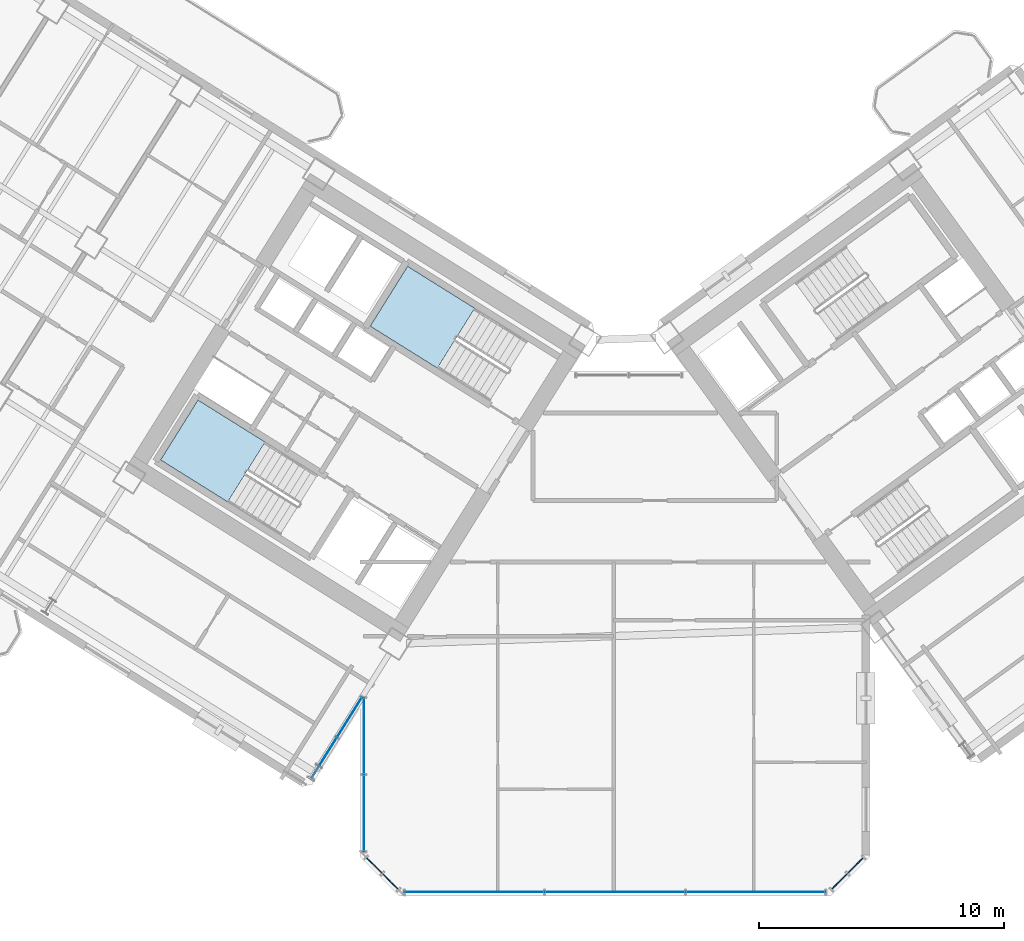
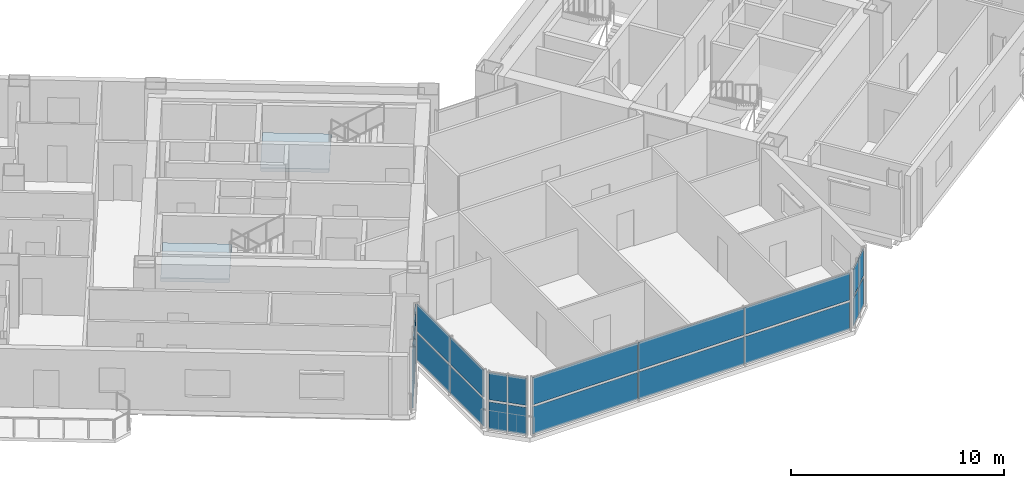
# One storey, part 13 of 25: 22 plates, 2 slabs, 7 elements without a shape of their own.
"""IFC4 building model written with IfcOpenShell, lengths in metres."""

from ifc_helpers import new_model, si_unit, direction, frame, origin, origin_2d, place, context, subcontext, project, spatial, polyline, rectangle, outline, extrude, source, transform, mapped, material, layer, layer_set, type_object, element, aggregate, save


model = new_model("IFC4")

# Units and contexts
model_context = context("Model", 3, precision=1e-05, world=origin(), true_north=direction((0.0, 1.0)))
body_context = subcontext(model_context, "Body", "Model", "MODEL_VIEW")
ifc_project = project(units=[si_unit("LENGTHUNIT", "METRE"), si_unit("AREAUNIT", "SQUARE_METRE"), si_unit("VOLUMEUNIT", "CUBIC_METRE"), si_unit("PLANEANGLEUNIT", "RADIAN"), si_unit("MASSUNIT", "GRAM", prefix="KILO")], contexts=[model_context])

# Site, building, storey
site_placement = place(None, origin())
site = spatial("IfcSite", under=ifc_project, at=site_placement, CompositionType="ELEMENT")
building_placement = place(site_placement, origin())
building = spatial("IfcBuilding", under=site, at=building_placement, Name="Tlacorven Tower", CompositionType="ELEMENT")
storey_placement = place(building_placement, frame((0.0, 0.0, 52.800048828125)))
storey = spatial("IfcBuildingStorey", under=building, at=storey_placement, Name="L13", CompositionType="ELEMENT", Elevation=52.800048828125)

# Stair, slab
ifc_material_1 = material(Name="Concrete C40/50", Category="concrete")
stair_type = type_object("IfcStairType", Name="ST-CORE-DLG", PredefinedType="HALF_TURN_STAIR", material=ifc_material_1)
stair_1_placement = place(storey_placement, origin())
stair_1 = element("IfcStair", 1, at=stair_1_placement, inside=storey, type_object=stair_type, Name="L13 Protected Exit Stair West 1", PredefinedType="HALF_TURN_STAIR")
ifc_layer_1 = layer(ifc_material_1, 0.199951171875)
ifc_layer_set_1 = layer_set([ifc_layer_1], Name="Concrete C40/50")
slab_type = type_object("IfcSlabType", Name="SL-LND-200", PredefinedType="LANDING", material=ifc_layer_set_1)
slab_1_placement = place(storey_placement, frame((0.0, 0.0, 1.599853515625)))
slab_1 = element("IfcSlab", 2, at=slab_1_placement, type_object=slab_type, Name="ST-W1 landing 1", PredefinedType="LANDING", context=body_context, shape_type="SweptSolid", body=[
    extrude(outline(polyline([(27.728515625, 20.315185546875), (24.9892578125, 22.02685546875), (23.463134765625, 19.58447265625), (26.2021484375, 17.872802734375), (27.728515625, 20.315185546875)])), origin(), (0.0, 0.0, 1.0), 0.2001953125),
])
aggregate(stair_1, [slab_1])

stair_2_placement = place(storey_placement, origin())
stair_2 = element("IfcStair", 3, at=stair_2_placement, inside=storey, type_object=stair_type, Name="L13 Protected Exit Stair West 2", PredefinedType="HALF_TURN_STAIR")
slab_2_placement = place(storey_placement, frame((0.0, 0.0, 1.599853515625)))
slab_2 = element("IfcSlab", 4, at=slab_2_placement, type_object=slab_type, Name="ST-W2 landing 1", PredefinedType="LANDING", context=body_context, shape_type="SweptSolid", body=[
    extrude(outline(polyline([(36.280029296875, 25.772705078125), (33.540771484375, 27.484375), (32.0146484375, 25.0419921875), (34.75390625, 23.33056640625), (36.280029296875, 25.772705078125)])), origin(), (0.0, 0.0, 1.0), 0.2001953125),
])
aggregate(stair_2, [slab_2])

# Curtain wall, plates
ifc_material_2 = material(Name="Dark solar low-E double glazing in aluminium frame", Category="aluminium")
curtain_wall_type = type_object("IfcCurtainWallType", Name="CW-TWR-LOW", PredefinedType="USERDEFINED", material=ifc_material_2)
curtain_wall_1_placement = place(storey_placement, origin())
curtain_wall_1 = element("IfcCurtainWall", 5, at=curtain_wall_1_placement, inside=storey, type_object=curtain_wall_type, Name="L13 CW-TWR-LOW Curtain Wall 69", ObjectType="UNITISED CURTAIN WALL", PredefinedType="USERDEFINED")
ifc_material_3 = material(Name="Dark solar double low-E glazing", Category="glass")
ifc_layer_2 = layer(ifc_material_3, 0.031982421875)
ifc_layer_set_2 = layer_set([ifc_layer_2], Name="Dark solar double low-E glazing")
plate_type = type_object("IfcPlateType", Name="CWP-02", PredefinedType="CURTAIN_PANEL", material=ifc_layer_set_2)
shared_shape_1 = source(origin(), body_context, "Body", "SweptSolid", [
    extrude(rectangle(XDim=0.878173828125, YDim=0.031982421875, at=origin_2d()), origin(), (0.0, 0.0, 1.0), 1.552978515625),
])
plate_1_placement = place(storey_placement, frame((51.815673828125, 3.0419921875, 0.06103515625), z_axis=(0.0, 0.0, 1.0), x_axis=(-0.707106781187, -0.707106781187, 0.0)))
plate_1 = element("IfcPlate", 6, at=plate_1_placement, type_object=plate_type, Name="CW-L13-069 Glazing Panel 1", PredefinedType="CURTAIN_PANEL", context=body_context, shape_type="MappedRepresentation", body=[
    mapped(shared_shape_1, transform((0.0, 0.0, 0.0), scale=1.0)),
])
plate_2_placement = place(storey_placement, frame((51.815673828125, 3.0419921875, 1.73583984375), z_axis=(0.0, 0.0, 1.0), x_axis=(-0.707106781187, -0.707106781187, 0.0)))
plate_2 = element("IfcPlate", 7, at=plate_2_placement, type_object=plate_type, Name="CW-L13-069 Glazing Panel 2", PredefinedType="CURTAIN_PANEL", context=body_context, shape_type="MappedRepresentation", body=[
    mapped(shared_shape_1, transform((0.0, 0.0, 0.0), scale=1.0)),
])
plate_3_placement = place(storey_placement, frame((51.157958984375, 2.38427734375, 0.06103515625), z_axis=(0.0, 0.0, 1.0), x_axis=(-0.707106781187, -0.707106781187, 0.0)))
plate_3 = element("IfcPlate", 8, at=plate_3_placement, type_object=plate_type, Name="CW-L13-069 Glazing Panel 3", PredefinedType="CURTAIN_PANEL", context=body_context, shape_type="MappedRepresentation", body=[
    mapped(shared_shape_1, transform((0.0, 0.0, 0.0), scale=1.0)),
])
plate_4_placement = place(storey_placement, frame((51.157958984375, 2.38427734375, 1.73583984375), z_axis=(0.0, 0.0, 1.0), x_axis=(-0.707106781187, -0.707106781187, 0.0)))
plate_4 = element("IfcPlate", 9, at=plate_4_placement, type_object=plate_type, Name="CW-L13-069 Glazing Panel 4", PredefinedType="CURTAIN_PANEL", context=body_context, shape_type="MappedRepresentation", body=[
    mapped(shared_shape_1, transform((0.0, 0.0, 0.0), scale=1.0)),
])
aggregate(curtain_wall_1, [plate_1, plate_2, plate_3, plate_4])

curtain_wall_2_placement = place(storey_placement, origin())
curtain_wall_2 = element("IfcCurtainWall", 10, at=curtain_wall_2_placement, inside=storey, type_object=curtain_wall_type, Name="L13 CW-TWR-LOW Curtain Wall 71", ObjectType="UNITISED CURTAIN WALL", PredefinedType="USERDEFINED")
plate_5_placement = place(storey_placement, frame((32.842041015625, 2.38427734375, 0.06103515625), z_axis=(0.0, 0.0, 1.0), x_axis=(-0.707106781187, 0.707106781187, 0.0)))
plate_5 = element("IfcPlate", 11, at=plate_5_placement, type_object=plate_type, Name="CW-L13-071 Glazing Panel 1", PredefinedType="CURTAIN_PANEL", context=body_context, shape_type="MappedRepresentation", body=[
    mapped(shared_shape_1, transform((0.0, 0.0, 0.0), scale=1.0)),
])
plate_6_placement = place(storey_placement, frame((32.842041015625, 2.38427734375, 1.73583984375), z_axis=(0.0, 0.0, 1.0), x_axis=(-0.707106781187, 0.707106781187, 0.0)))
plate_6 = element("IfcPlate", 12, at=plate_6_placement, type_object=plate_type, Name="CW-L13-071 Glazing Panel 2", PredefinedType="CURTAIN_PANEL", context=body_context, shape_type="MappedRepresentation", body=[
    mapped(shared_shape_1, transform((0.0, 0.0, 0.0), scale=1.0)),
])
plate_7_placement = place(storey_placement, frame((32.184326171875, 3.0419921875, 0.06103515625), z_axis=(0.0, 0.0, 1.0), x_axis=(-0.707106781187, 0.707106781187, 0.0)))
plate_7 = element("IfcPlate", 13, at=plate_7_placement, type_object=plate_type, Name="CW-L13-071 Glazing Panel 3", PredefinedType="CURTAIN_PANEL", context=body_context, shape_type="MappedRepresentation", body=[
    mapped(shared_shape_1, transform((0.0, 0.0, 0.0), scale=1.0)),
])
plate_8_placement = place(storey_placement, frame((32.184326171875, 3.0419921875, 1.73583984375), z_axis=(0.0, 0.0, 1.0), x_axis=(-0.707106781187, 0.707106781187, 0.0)))
plate_8 = element("IfcPlate", 14, at=plate_8_placement, type_object=plate_type, Name="CW-L13-071 Glazing Panel 4", PredefinedType="CURTAIN_PANEL", context=body_context, shape_type="MappedRepresentation", body=[
    mapped(shared_shape_1, transform((0.0, 0.0, 0.0), scale=1.0)),
])
aggregate(curtain_wall_2, [plate_5, plate_6, plate_7, plate_8])

curtain_wall_3_placement = place(storey_placement, origin())
curtain_wall_3 = element("IfcCurtainWall", 15, at=curtain_wall_3_placement, inside=storey, type_object=curtain_wall_type, Name="L13 CW-TWR-LOW Curtain Wall 70", ObjectType="UNITISED CURTAIN WALL", PredefinedType="USERDEFINED")
shared_shape_2 = source(origin(), body_context, "Body", "SweptSolid", [
    extrude(rectangle(XDim=5.668701171875, YDim=0.031982421875, at=origin_2d()), origin(), (0.0, 0.0, 1.0), 1.552978515625),
])
plate_9_placement = place(storey_placement, frame((47.73828125, 1.9599609375, 0.06103515625), z_axis=(0.0, 0.0, 1.0), x_axis=(-1.0, 0.0, 0.0)))
plate_9 = element("IfcPlate", 16, at=plate_9_placement, type_object=plate_type, Name="CW-L13-070 Glazing Panel 1", PredefinedType="CURTAIN_PANEL", context=body_context, shape_type="MappedRepresentation", body=[
    mapped(shared_shape_2, transform((0.0, 0.0, 0.0), scale=1.0)),
])
plate_10_placement = place(storey_placement, frame((47.73828125, 1.9599609375, 1.73583984375), z_axis=(0.0, 0.0, 1.0), x_axis=(-1.0, 0.0, 0.0)))
plate_10 = element("IfcPlate", 17, at=plate_10_placement, type_object=plate_type, Name="CW-L13-070 Glazing Panel 2", PredefinedType="CURTAIN_PANEL", context=body_context, shape_type="MappedRepresentation", body=[
    mapped(shared_shape_2, transform((0.0, 0.0, 0.0), scale=1.0)),
])
plate_11_placement = place(storey_placement, frame((36.26171875, 1.9599609375, 0.06103515625), z_axis=(0.0, 0.0, 1.0), x_axis=(-1.0, 0.0, 0.0)))
plate_11 = element("IfcPlate", 18, at=plate_11_placement, type_object=plate_type, Name="CW-L13-070 Glazing Panel 5", PredefinedType="CURTAIN_PANEL", context=body_context, shape_type="MappedRepresentation", body=[
    mapped(shared_shape_2, transform((0.0, 0.0, 0.0), scale=1.0)),
])
plate_12_placement = place(storey_placement, frame((36.26171875, 1.9599609375, 1.73583984375), z_axis=(0.0, 0.0, 1.0), x_axis=(-1.0, 0.0, 0.0)))
plate_12 = element("IfcPlate", 19, at=plate_12_placement, type_object=plate_type, Name="CW-L13-070 Glazing Panel 6", PredefinedType="CURTAIN_PANEL", context=body_context, shape_type="MappedRepresentation", body=[
    mapped(shared_shape_2, transform((0.0, 0.0, 0.0), scale=1.0)),
])
shared_shape_3 = source(origin(), body_context, "Body", "SweptSolid", [
    extrude(rectangle(XDim=5.703857421875, YDim=0.031982421875, at=origin_2d()), origin(), (0.0, 0.0, 1.0), 1.552978515625),
])
plate_13_placement = place(storey_placement, frame((42.0, 1.9599609375, 0.06103515625), z_axis=(0.0, 0.0, 1.0), x_axis=(-1.0, 0.0, 0.0)))
plate_13 = element("IfcPlate", 20, at=plate_13_placement, type_object=plate_type, Name="CW-L13-070 Glazing Panel 3", PredefinedType="CURTAIN_PANEL", context=body_context, shape_type="MappedRepresentation", body=[
    mapped(shared_shape_3, transform((0.0, 0.0, 0.0), scale=1.0)),
])
plate_14_placement = place(storey_placement, frame((42.0, 1.9599609375, 1.73583984375), z_axis=(0.0, 0.0, 1.0), x_axis=(-1.0, 0.0, 0.0)))
plate_14 = element("IfcPlate", 21, at=plate_14_placement, type_object=plate_type, Name="CW-L13-070 Glazing Panel 4", PredefinedType="CURTAIN_PANEL", context=body_context, shape_type="MappedRepresentation", body=[
    mapped(shared_shape_3, transform((0.0, 0.0, 0.0), scale=1.0)),
])
aggregate(curtain_wall_3, [plate_9, plate_10, plate_13, plate_14, plate_11, plate_12])

curtain_wall_4_placement = place(storey_placement, origin())
curtain_wall_4 = element("IfcCurtainWall", 22, at=curtain_wall_4_placement, inside=storey, type_object=curtain_wall_type, Name="L13 CW-TWR-LOW Curtain Wall 72", ObjectType="UNITISED CURTAIN WALL", PredefinedType="USERDEFINED")
shared_shape_4 = source(origin(), body_context, "Body", "SweptSolid", [
    extrude(rectangle(XDim=3.09423828125, YDim=0.031982421875, at=origin_2d()), origin(), (0.0, 0.0, 1.0), 1.552978515625),
])
plate_15_placement = place(storey_placement, frame((31.760009765625, 5.17431640625, 0.06103515625), z_axis=(0.0, 0.0, 1.0), x_axis=(0.0, 1.0, 0.0)))
plate_15 = element("IfcPlate", 23, at=plate_15_placement, type_object=plate_type, Name="CW-L13-072 Glazing Panel 1", PredefinedType="CURTAIN_PANEL", context=body_context, shape_type="MappedRepresentation", body=[
    mapped(shared_shape_4, transform((0.0, 0.0, 0.0), scale=1.0)),
])
plate_16_placement = place(storey_placement, frame((31.760009765625, 5.17431640625, 1.73583984375), z_axis=(0.0, 0.0, 1.0), x_axis=(0.0, 1.0, 0.0)))
plate_16 = element("IfcPlate", 24, at=plate_16_placement, type_object=plate_type, Name="CW-L13-072 Glazing Panel 2", PredefinedType="CURTAIN_PANEL", context=body_context, shape_type="MappedRepresentation", body=[
    mapped(shared_shape_4, transform((0.0, 0.0, 0.0), scale=1.0)),
])
plate_17_placement = place(storey_placement, frame((31.760009765625, 8.320556640625, 0.06103515625), z_axis=(0.0, 0.0, 1.0), x_axis=(0.0, 1.0, 0.0)))
plate_17 = element("IfcPlate", 25, at=plate_17_placement, type_object=plate_type, Name="CW-L13-072 Glazing Panel 3", PredefinedType="CURTAIN_PANEL", context=body_context, shape_type="MappedRepresentation", body=[
    mapped(shared_shape_4, transform((0.0, 0.0, 0.0), scale=1.0)),
])
plate_18_placement = place(storey_placement, frame((31.760009765625, 8.320556640625, 1.73583984375), z_axis=(0.0, 0.0, 1.0), x_axis=(0.0, 1.0, 0.0)))
plate_18 = element("IfcPlate", 26, at=plate_18_placement, type_object=plate_type, Name="CW-L13-072 Glazing Panel 4", PredefinedType="CURTAIN_PANEL", context=body_context, shape_type="MappedRepresentation", body=[
    mapped(shared_shape_4, transform((0.0, 0.0, 0.0), scale=1.0)),
])
aggregate(curtain_wall_4, [plate_15, plate_16, plate_17, plate_18])

curtain_wall_5_placement = place(storey_placement, origin())
curtain_wall_5 = element("IfcCurtainWall", 27, at=curtain_wall_5_placement, inside=storey, type_object=curtain_wall_type, Name="L13 CW-TWR-LOW Curtain Wall 73", ObjectType="UNITISED CURTAIN WALL", PredefinedType="USERDEFINED")
shared_shape_5 = source(origin(), body_context, "Body", "SweptSolid", [
    extrude(rectangle(XDim=1.896240234375, YDim=0.031982421875, at=origin_2d()), origin(), (0.0, 0.0, 1.0), 1.552978515625),
])
plate_19_placement = place(storey_placement, frame((31.172119140625, 9.087890625, 0.06103515625), z_axis=(0.0, 0.0, 1.0), x_axis=(-0.529918710919, -0.848048441905, 0.0)))
plate_19 = element("IfcPlate", 28, at=plate_19_placement, type_object=plate_type, Name="CW-L13-073 Glazing Panel 1", PredefinedType="CURTAIN_PANEL", context=body_context, shape_type="MappedRepresentation", body=[
    mapped(shared_shape_5, transform((0.0, 0.0, 0.0), scale=1.0)),
])
plate_20_placement = place(storey_placement, frame((31.172119140625, 9.087890625, 1.73583984375), z_axis=(0.0, 0.0, 1.0), x_axis=(-0.529918710919, -0.848048441905, 0.0)))
plate_20 = element("IfcPlate", 29, at=plate_20_placement, type_object=plate_type, Name="CW-L13-073 Glazing Panel 2", PredefinedType="CURTAIN_PANEL", context=body_context, shape_type="MappedRepresentation", body=[
    mapped(shared_shape_5, transform((0.0, 0.0, 0.0), scale=1.0)),
])
plate_21_placement = place(storey_placement, frame((30.1396484375, 7.435791015625, 0.06103515625), z_axis=(0.0, 0.0, 1.0), x_axis=(-0.529918710919, -0.848048441905, 0.0)))
plate_21 = element("IfcPlate", 30, at=plate_21_placement, type_object=plate_type, Name="CW-L13-073 Glazing Panel 3", PredefinedType="CURTAIN_PANEL", context=body_context, shape_type="MappedRepresentation", body=[
    mapped(shared_shape_5, transform((0.0, 0.0, 0.0), scale=1.0)),
])
plate_22_placement = place(storey_placement, frame((30.1396484375, 7.435791015625, 1.73583984375), z_axis=(0.0, 0.0, 1.0), x_axis=(-0.529918710919, -0.848048441905, 0.0)))
plate_22 = element("IfcPlate", 31, at=plate_22_placement, type_object=plate_type, Name="CW-L13-073 Glazing Panel 4", PredefinedType="CURTAIN_PANEL", context=body_context, shape_type="MappedRepresentation", body=[
    mapped(shared_shape_5, transform((0.0, 0.0, 0.0), scale=1.0)),
])
aggregate(curtain_wall_5, [plate_19, plate_20, plate_21, plate_22])

save(model, "model.ifc")
